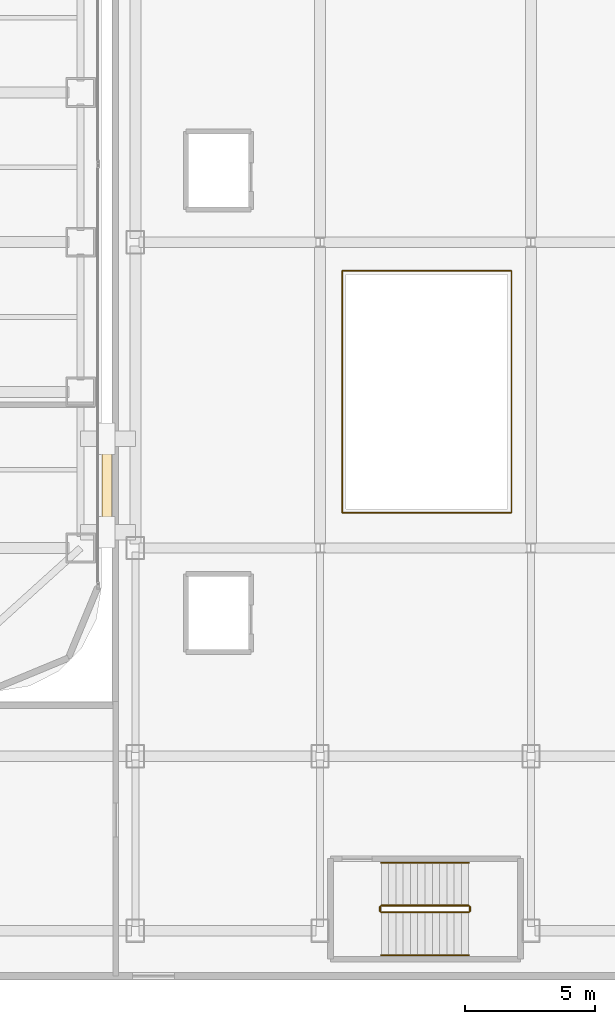
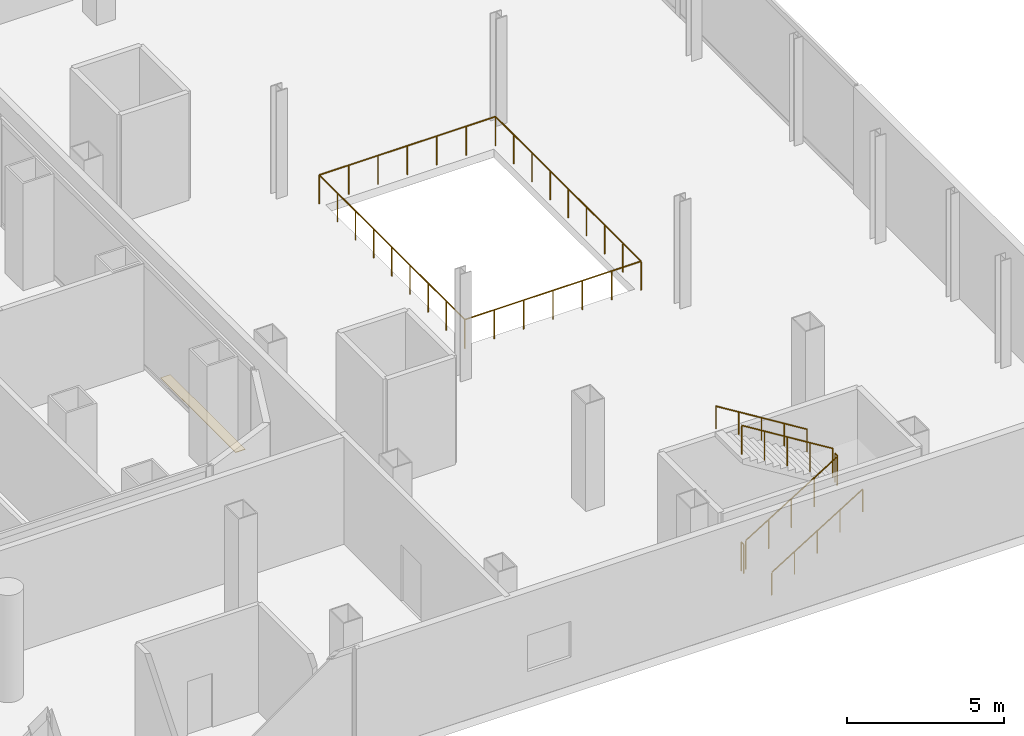
# One storey, part 24 of 26: 7 railings, 1 covering.
"""IFC4 building model written with IfcOpenShell, lengths in metres."""

from ifc_helpers import new_model, si_unit, direction, frame, origin, origin_2d, place, context, subcontext, project, spatial, polyline, circle, outline, extrude, material, layer, layer_set, type_object, element, save


model = new_model("IFC4")

# Units and contexts
model_context = context("Model", 3, precision=1e-05, world=origin(), true_north=direction((0.0, 1.0)))
body_context = subcontext(model_context, "Body", "Model", "MODEL_VIEW")
ifc_project = project(units=[si_unit("LENGTHUNIT", "METRE"), si_unit("AREAUNIT", "SQUARE_METRE"), si_unit("VOLUMEUNIT", "CUBIC_METRE"), si_unit("PLANEANGLEUNIT", "RADIAN"), si_unit("MASSUNIT", "GRAM", prefix="KILO")], contexts=[model_context])

# Site, building, storey
site_placement = place(None, origin())
site = spatial("IfcSite", under=ifc_project, at=site_placement, CompositionType="ELEMENT")
building_placement = place(site_placement, origin())
building = spatial("IfcBuilding", under=site, at=building_placement, Name="Kolveth Station Tower", CompositionType="ELEMENT")
storey_placement = place(building_placement, frame((0.0, 0.0, 9.0)))
storey = spatial("IfcBuildingStorey", under=building, at=storey_placement, Name="L02", CompositionType="ELEMENT", Elevation=9.0)

# Covering
ifc_material_1 = material(Name="Honed terrazzo flooring")
ifc_layer = layer(ifc_material_1, 0.02001953125)
ifc_layer_set = layer_set([ifc_layer], Name="Honed terrazzo flooring")
covering_type = type_object("IfcCoveringType", Name="Floor_FL1", PredefinedType="FLOORING", material=ifc_layer_set)
covering_placement = place(storey_placement, frame((0.0, 0.0, -0.02001953125)))
element("IfcCovering", 1, at=covering_placement, inside=storey, type_object=covering_type, Name="L02 Seismic Joint Concourse Threshold Flooring 2", PredefinedType="FLOORING", context=body_context, shape_type="SweptSolid", body=[
    extrude(outline(polyline([(47.02001953125, 5.5), (47.3798828125, 5.5), (47.3798828125, 10.300048828125), (47.02001953125, 10.300048828125), (47.02001953125, 5.5)])), origin(), (0.0, 0.0, 1.0), 0.02001953125),
])

# Railings
ifc_material_2 = material(Name="Painted Steel S355 balustrade", Category="steel")
railing_type_1 = type_object("IfcRailingType", Name="Guard_GR2", PredefinedType="BALUSTRADE", material=ifc_material_2)
railing_1_placement = place(storey_placement, frame((57.75, -8.5, 0.173095703125)))
element("IfcRailing", 2, at=railing_1_placement, inside=storey, type_object=railing_type_1, Name="L02 ST4 stair guard 1", PredefinedType="BALUSTRADE", context=body_context, shape_type="SweptSolid", body=[
    extrude(circle(Radius=0.02392578125, at=origin_2d()), frame((0.0, 0.0, 1.1259765625), z_axis=(0.850623216509, 0.0, 0.525775754039), x_axis=(0.0, 1.0, 0.0)), (0.0, 0.0, 1.0), 3.9501953125),
    extrude(circle(Radius=0.02099609375, at=origin_2d()), origin(), (0.0, 0.0, 1.0), 1.101806640625),
    extrude(circle(Radius=0.02099609375, at=origin_2d()), frame((0.840087890625, 0.0, 0.519287109375)), (0.0, 0.0, 1.0), 1.101806640625),
    extrude(circle(Radius=0.02099609375, at=origin_2d()), frame((1.68017578125, 0.0, 1.03857421875)), (0.0, 0.0, 1.0), 1.101806640625),
    extrude(circle(Radius=0.02099609375, at=origin_2d()), frame((2.52001953125, 0.0, 1.5576171875)), (0.0, 0.0, 1.0), 1.101806640625),
    extrude(circle(Radius=0.02099609375, at=origin_2d()), frame((3.360107421875, 0.0, 2.076904296875)), (0.0, 0.0, 1.0), 1.101806640625),
])
railing_2_placement = place(storey_placement, frame((61.159912109375, -8.449951171875, 2.25)))
element("IfcRailing", 3, at=railing_2_placement, inside=storey, type_object=railing_type_1, Name="L02 ST4 stair guard 2", PredefinedType="BALUSTRADE", context=body_context, shape_type="SweptSolid", body=[
    extrude(circle(Radius=0.02392578125, at=origin_2d()), frame((0.0, 0.0, 1.1259765625), z_axis=(0.0, 1.0, 0.0), x_axis=(-1.0, 0.0, 0.0)), (0.0, 0.0, 1.0), 0.159912109375),
    extrude(circle(Radius=0.02099609375, at=origin_2d()), origin(), (0.0, 0.0, 1.0), 1.101806640625),
    extrude(circle(Radius=0.02099609375, at=origin_2d()), frame((0.0, 0.159912109375, 0.0)), (0.0, 0.0, 1.0), 1.101806640625),
])
railing_3_placement = place(storey_placement, frame((61.110107421875, -8.239990234375, 2.423095703125)))
element("IfcRailing", 4, at=railing_3_placement, inside=storey, type_object=railing_type_1, Name="L02 ST4 stair guard 3", PredefinedType="BALUSTRADE", context=body_context, shape_type="SweptSolid", body=[
    extrude(circle(Radius=0.02392578125, at=origin_2d()), frame((0.0, 0.0, 1.1259765625), z_axis=(-0.850623216509, 0.0, 0.525775754039), x_axis=(0.0, -1.0, 0.0)), (0.0, 0.0, 1.0), 3.9501953125),
    extrude(circle(Radius=0.02099609375, at=origin_2d()), origin(), (0.0, 0.0, 1.0), 1.101806640625),
    extrude(circle(Radius=0.02099609375, at=origin_2d()), frame((-0.840087890625, 0.0, 0.519287109375)), (0.0, 0.0, 1.0), 1.101806640625),
    extrude(circle(Radius=0.02099609375, at=origin_2d()), frame((-1.68017578125, 0.0, 1.03857421875)), (0.0, 0.0, 1.0), 1.101806640625),
    extrude(circle(Radius=0.02099609375, at=origin_2d()), frame((-2.52001953125, 0.0, 1.5576171875)), (0.0, 0.0, 1.0), 1.101806640625),
    extrude(circle(Radius=0.02099609375, at=origin_2d()), frame((-3.360107421875, 0.0, 2.076904296875)), (0.0, 0.0, 1.0), 1.101806640625),
])
railing_4_placement = place(storey_placement, frame((57.699951171875, -8.449951171875, 0.0)))
element("IfcRailing", 5, at=railing_4_placement, inside=storey, type_object=railing_type_1, Name="L02 ST4 stair guard 4", PredefinedType="BALUSTRADE", context=body_context, shape_type="SweptSolid", body=[
    extrude(circle(Radius=0.02392578125, at=origin_2d()), frame((0.0, 0.0, 1.1259765625), z_axis=(0.0, 1.0, 0.0), x_axis=(-1.0, 0.0, 0.0)), (0.0, 0.0, 1.0), 0.159912109375),
    extrude(circle(Radius=0.02099609375, at=origin_2d()), origin(), (0.0, 0.0, 1.0), 1.101806640625),
    extrude(circle(Radius=0.02099609375, at=origin_2d()), frame((0.0, 0.159912109375, 0.0)), (0.0, 0.0, 1.0), 1.101806640625),
])
railing_5_placement = place(storey_placement, frame((56.25, 6.85009765625, 0.0)))
element("IfcRailing", 6, at=railing_5_placement, inside=storey, type_object=railing_type_1, Name="L02 Station Atrium Void Guard Railing", PredefinedType="BALUSTRADE", context=body_context, shape_type="SweptSolid", body=[
    extrude(circle(Radius=0.02392578125, at=origin_2d()), frame((0.0, 0.0, 1.1259765625), z_axis=(1.0, 0.0, 0.0), x_axis=(0.0, 1.0, 0.0)), (0.0, 0.0, 1.0), 6.5),
    extrude(circle(Radius=0.02392578125, at=origin_2d()), frame((6.5, 0.0, 1.1259765625), z_axis=(0.0, 1.0, 0.0), x_axis=(-1.0, 0.0, 0.0)), (0.0, 0.0, 1.0), 9.2998046875),
    extrude(circle(Radius=0.02392578125, at=origin_2d()), frame((6.5, 9.2998046875, 1.1259765625), z_axis=(-1.0, 0.0, 0.0), x_axis=(0.0, -1.0, 0.0)), (0.0, 0.0, 1.0), 6.5),
    extrude(circle(Radius=0.02392578125, at=origin_2d()), frame((0.0, 9.2998046875, 1.1259765625), z_axis=(0.0, -1.0, 0.0), x_axis=(1.0, 0.0, 0.0)), (0.0, 0.0, 1.0), 9.27490234375),
    extrude(circle(Radius=0.02099609375, at=origin_2d()), origin(), (0.0, 0.0, 1.0), 1.101806640625),
    extrude(circle(Radius=0.02099609375, at=origin_2d()), frame((1.083251953125, 0.0, 0.0)), (0.0, 0.0, 1.0), 1.101806640625),
    extrude(circle(Radius=0.02099609375, at=origin_2d()), frame((2.166748046875, 0.0, 0.0)), (0.0, 0.0, 1.0), 1.101806640625),
    extrude(circle(Radius=0.02099609375, at=origin_2d()), frame((3.25, 0.0, 0.0)), (0.0, 0.0, 1.0), 1.101806640625),
    extrude(circle(Radius=0.02099609375, at=origin_2d()), frame((4.333251953125, 0.0, 0.0)), (0.0, 0.0, 1.0), 1.101806640625),
    extrude(circle(Radius=0.02099609375, at=origin_2d()), frame((5.416748046875, 0.0, 0.0)), (0.0, 0.0, 1.0), 1.101806640625),
    extrude(circle(Radius=0.02099609375, at=origin_2d()), frame((6.5, 0.0, 0.0)), (0.0, 0.0, 1.0), 1.101806640625),
    extrude(circle(Radius=0.02099609375, at=origin_2d()), frame((6.5, 1.16259765625, 0.0)), (0.0, 0.0, 1.0), 1.101806640625),
    extrude(circle(Radius=0.02099609375, at=origin_2d()), frame((6.5, 2.324951171875, 0.0)), (0.0, 0.0, 1.0), 1.101806640625),
    extrude(circle(Radius=0.02099609375, at=origin_2d()), frame((6.5, 3.4873046875, 0.0)), (0.0, 0.0, 1.0), 1.101806640625),
    extrude(circle(Radius=0.02099609375, at=origin_2d()), frame((6.5, 4.64990234375, 0.0)), (0.0, 0.0, 1.0), 1.101806640625),
    extrude(circle(Radius=0.02099609375, at=origin_2d()), frame((6.5, 5.8125, 0.0)), (0.0, 0.0, 1.0), 1.101806640625),
    extrude(circle(Radius=0.02099609375, at=origin_2d()), frame((6.5, 6.974853515625, 0.0)), (0.0, 0.0, 1.0), 1.101806640625),
    extrude(circle(Radius=0.02099609375, at=origin_2d()), frame((6.5, 8.13720703125, 0.0)), (0.0, 0.0, 1.0), 1.101806640625),
    extrude(circle(Radius=0.02099609375, at=origin_2d()), frame((6.5, 9.2998046875, 0.0)), (0.0, 0.0, 1.0), 1.101806640625),
    extrude(circle(Radius=0.02099609375, at=origin_2d()), frame((5.416748046875, 9.2998046875, 0.0)), (0.0, 0.0, 1.0), 1.101806640625),
    extrude(circle(Radius=0.02099609375, at=origin_2d()), frame((4.333251953125, 9.2998046875, 0.0)), (0.0, 0.0, 1.0), 1.101806640625),
    extrude(circle(Radius=0.02099609375, at=origin_2d()), frame((3.25, 9.2998046875, 0.0)), (0.0, 0.0, 1.0), 1.101806640625),
    extrude(circle(Radius=0.02099609375, at=origin_2d()), frame((2.166748046875, 9.2998046875, 0.0)), (0.0, 0.0, 1.0), 1.101806640625),
    extrude(circle(Radius=0.02099609375, at=origin_2d()), frame((1.083251953125, 9.2998046875, 0.0)), (0.0, 0.0, 1.0), 1.101806640625),
    extrude(circle(Radius=0.02099609375, at=origin_2d()), frame((0.0, 9.2998046875, 0.0)), (0.0, 0.0, 1.0), 1.101806640625),
    extrude(circle(Radius=0.02099609375, at=origin_2d()), frame((0.0, 8.140380859375, 0.0)), (0.0, 0.0, 1.0), 1.101806640625),
    extrude(circle(Radius=0.02099609375, at=origin_2d()), frame((0.0, 6.98095703125, 0.0)), (0.0, 0.0, 1.0), 1.101806640625),
    extrude(circle(Radius=0.02099609375, at=origin_2d()), frame((0.0, 5.82177734375, 0.0)), (0.0, 0.0, 1.0), 1.101806640625),
    extrude(circle(Radius=0.02099609375, at=origin_2d()), frame((0.0, 4.662353515625, 0.0)), (0.0, 0.0, 1.0), 1.101806640625),
    extrude(circle(Radius=0.02099609375, at=origin_2d()), frame((0.0, 3.5029296875, 0.0)), (0.0, 0.0, 1.0), 1.101806640625),
    extrude(circle(Radius=0.02099609375, at=origin_2d()), frame((0.0, 2.34375, 0.0)), (0.0, 0.0, 1.0), 1.101806640625),
    extrude(circle(Radius=0.02099609375, at=origin_2d()), frame((0.0, 1.184326171875, 0.0)), (0.0, 0.0, 1.0), 1.101806640625),
    extrude(circle(Radius=0.02099609375, at=origin_2d()), frame((0.0, 0.02490234375, 0.0)), (0.0, 0.0, 1.0), 1.101806640625),
])
ifc_material_3 = material(Name="Brushed stainless steel", Category="steel")
railing_type_2 = type_object("IfcRailingType", Name="Handrail_HR1", PredefinedType="HANDRAIL", material=ifc_material_3)
railing_6_placement = place(storey_placement, frame((57.75, -10.14990234375, 0.173095703125)))
element("IfcRailing", 7, at=railing_6_placement, inside=storey, type_object=railing_type_2, Name="L02 ST4 stair handrail 1", PredefinedType="HANDRAIL", context=body_context, shape_type="SweptSolid", body=[
    extrude(circle(Radius=0.02392578125, at=origin_2d()), frame((0.0, 0.0, 0.8759765625), z_axis=(0.850623216509, 0.0, 0.525775754039), x_axis=(0.0, 1.0, 0.0)), (0.0, 0.0, 1.0), 3.9501953125),
    extrude(circle(Radius=0.02099609375, at=origin_2d()), origin(), (0.0, 0.0, 1.0), 0.851806640625),
    extrude(circle(Radius=0.02099609375, at=origin_2d()), frame((0.840087890625, 0.0, 0.519287109375)), (0.0, 0.0, 1.0), 0.851806640625),
    extrude(circle(Radius=0.02099609375, at=origin_2d()), frame((1.68017578125, 0.0, 1.03857421875)), (0.0, 0.0, 1.0), 0.851806640625),
    extrude(circle(Radius=0.02099609375, at=origin_2d()), frame((2.52001953125, 0.0, 1.5576171875)), (0.0, 0.0, 1.0), 0.851806640625),
    extrude(circle(Radius=0.02099609375, at=origin_2d()), frame((3.360107421875, 0.0, 2.076904296875)), (0.0, 0.0, 1.0), 0.851806640625),
])
railing_7_placement = place(storey_placement, frame((61.110107421875, -6.590087890625, 2.423095703125)))
element("IfcRailing", 8, at=railing_7_placement, inside=storey, type_object=railing_type_2, Name="L02 ST4 stair handrail 2", PredefinedType="HANDRAIL", context=body_context, shape_type="SweptSolid", body=[
    extrude(circle(Radius=0.02392578125, at=origin_2d()), frame((0.0, 0.0, 0.8759765625), z_axis=(-0.850623216509, 0.0, 0.525775754039), x_axis=(0.0, -1.0, 0.0)), (0.0, 0.0, 1.0), 3.9501953125),
    extrude(circle(Radius=0.02099609375, at=origin_2d()), origin(), (0.0, 0.0, 1.0), 0.851806640625),
    extrude(circle(Radius=0.02099609375, at=origin_2d()), frame((-0.840087890625, 0.0, 0.519287109375)), (0.0, 0.0, 1.0), 0.851806640625),
    extrude(circle(Radius=0.02099609375, at=origin_2d()), frame((-1.68017578125, 0.0, 1.03857421875)), (0.0, 0.0, 1.0), 0.851806640625),
    extrude(circle(Radius=0.02099609375, at=origin_2d()), frame((-2.52001953125, 0.0, 1.5576171875)), (0.0, 0.0, 1.0), 0.851806640625),
    extrude(circle(Radius=0.02099609375, at=origin_2d()), frame((-3.360107421875, 0.0, 2.076904296875)), (0.0, 0.0, 1.0), 0.851806640625),
])

save(model, "model.ifc")
